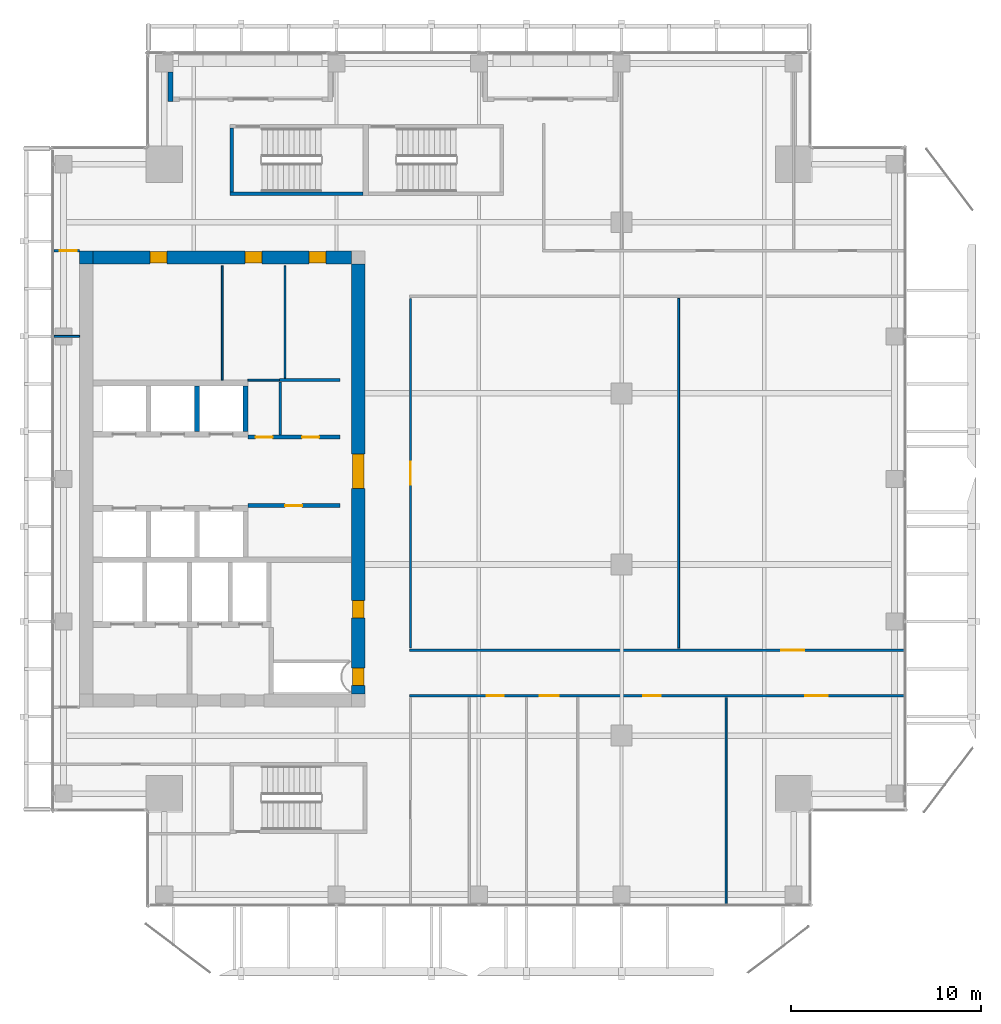
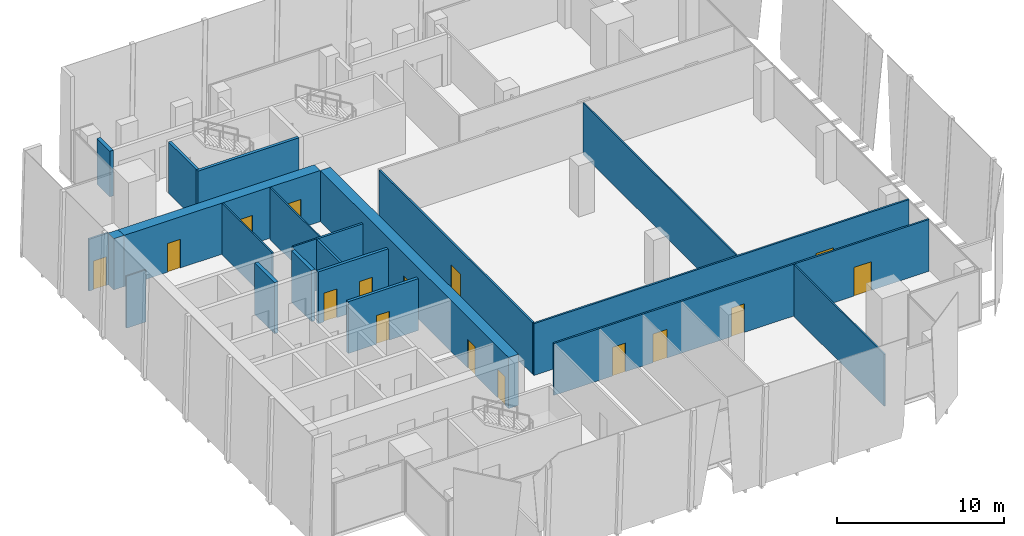
# One storey, part 29 of 35: 22 walls, 16 doors, 16 openings.
"""IFC4 building model written with IfcOpenShell, lengths in metres."""

from ifc_helpers import new_model, si_unit, direction, frame, frame_2d, origin, place, context, subcontext, project, spatial, rectangle, extrude, source, transform, mapped, material, layer, layer_set, type_object, element, fill, save


model = new_model("IFC4")

# Units and contexts
model_context = context("Model", 3, precision=1e-05, world=origin(), true_north=direction((0.0, 1.0)))
body_context = subcontext(model_context, "Body", "Model", "MODEL_VIEW")
ifc_project = project(units=[si_unit("LENGTHUNIT", "METRE"), si_unit("AREAUNIT", "SQUARE_METRE"), si_unit("VOLUMEUNIT", "CUBIC_METRE"), si_unit("PLANEANGLEUNIT", "RADIAN"), si_unit("MASSUNIT", "GRAM", prefix="KILO")], contexts=[model_context])

# Site, building, storey
site_placement = place(None, origin())
site = spatial("IfcSite", under=ifc_project, at=site_placement, CompositionType="ELEMENT")
building_placement = place(site_placement, origin())
building = spatial("IfcBuilding", under=site, at=building_placement, Name="Khomas Fold Tower", CompositionType="ELEMENT")
storey_placement = place(building_placement, frame((0.0, 0.0, 266.199951171875)))
storey = spatial("IfcBuildingStorey", under=building, at=storey_placement, Name="L60", CompositionType="ELEMENT", Elevation=266.199951171875)

# Walls
ifc_material_1 = material(Name="Concrete C50/60", Category="concrete")
ifc_layer_1 = layer(ifc_material_1, 0.199951171875)
ifc_layer_set_1 = layer_set([ifc_layer_1], Name="Concrete C50/60")
wall_type_1 = type_object("IfcWallType", Name="Stair wall 200", PredefinedType="SHEAR", material=ifc_layer_set_1)
shared_shape_1 = source(origin(), body_context, "Body", "SweptSolid", [
    extrude(rectangle(XDim=7.0, YDim=0.199951171875, at=frame_2d((3.5, 0.0))), origin(), (0.0, 0.0, 1.0), 3.75),
])
wall_1_placement = place(storey_placement, frame((13.89990234375, 42.0, 0.0), z_axis=(0.0, 0.0, 1.0), x_axis=(1.0, 0.0, 0.0)))
element("IfcWall", 1, at=wall_1_placement, inside=storey, type_object=wall_type_1, Name="Stair wall SW-ST1-S", PredefinedType="SHEAR", context=body_context, shape_type="MappedRepresentation", body=[
    mapped(shared_shape_1, transform((0.0, 0.0, 0.0))),
])
shared_shape_2 = source(origin(), body_context, "Body", "SweptSolid", [
    extrude(rectangle(XDim=3.349853515625, YDim=0.199951171875, at=frame_2d((1.6748046875, 0.0))), origin(), (0.0, 0.0, 1.0), 3.75),
])
wall_2_placement = place(storey_placement, frame((14.0, 42.10009765625, 0.0), z_axis=(0.0, 0.0, 1.0), x_axis=(0.0, 1.0, 0.0)))
element("IfcWall", 2, at=wall_2_placement, inside=storey, type_object=wall_type_1, Name="Stair wall SW-ST1-W", PredefinedType="SHEAR", context=body_context, shape_type="MappedRepresentation", body=[
    mapped(shared_shape_2, transform((0.0, 0.0, 0.0))),
])
ifc_material_2 = material(Name="Concrete C50/60", Category="concrete")
ifc_layer_2 = layer(ifc_material_2, 0.25)
ifc_layer_set_2 = layer_set([ifc_layer_2], Name="Concrete C50/60")
wall_type_2 = type_object("IfcWallType", Name="Shaft wall 250", PredefinedType="STANDARD", material=ifc_layer_set_2)
shared_shape_3 = source(origin(), body_context, "Body", "SweptSolid", [
    extrude(rectangle(XDim=2.39990234375, YDim=0.25, at=frame_2d((1.199951171875, 0.0))), origin(), (0.0, 0.0, 1.0), 3.75),
])
for number, where, z_axis, x_axis, name in (
    (3, (12.175048828125, 29.5, 0.0), (0.0, 0.0, 1.0), (0.0, 1.0, 0.0), "Core wall SW-HRN-P2"),
    (4, (14.72509765625, 29.5, 0.0), (0.0, 0.0, 1.0), (0.0, 1.0, 0.0), "Core wall SW-HRN-PE"),
):
    element("IfcWall", number, at=place(storey_placement, frame(where, z_axis=z_axis, x_axis=x_axis)), inside=storey, type_object=wall_type_2, Name=name, PredefinedType="STANDARD", context=body_context, shape_type="MappedRepresentation", body=[
        mapped(shared_shape_3, transform((0.0, 0.0, 0.0))),
    ])

# Wall, openings, doors
ifc_material_3 = material(Name="Concrete C60/75", Category="concrete")
ifc_layer_3 = layer(ifc_material_3, 0.699951171875)
ifc_layer_set_3 = layer_set([ifc_layer_3], Name="Concrete C60/75")
wall_type_3 = type_object("IfcWallType", Name="Core wall 700", PredefinedType="SHEAR", material=ifc_layer_set_3)
shared_shape_4 = source(origin(), body_context, "Body", "SweptSolid", [
    extrude(rectangle(XDim=13.60009765625, YDim=0.699951171875, at=frame_2d((6.800048828125, 0.0))), origin(), (0.0, 0.0, 1.0), 3.75),
])
wall_3_placement = place(storey_placement, frame((6.699951171875, 38.64990234375, 0.0), z_axis=(0.0, 0.0, 1.0), x_axis=(1.0, 0.0, 0.0)))
wall_3 = element("IfcWall", 5, at=wall_3_placement, inside=storey, type_object=wall_type_3, Name="Core wall CW-U-N-L49", PredefinedType="SHEAR", context=body_context, shape_type="MappedRepresentation", body=[
    mapped(shared_shape_4, transform((0.0, 0.0, 0.0))),
])
shared_shape_5 = source(origin(), body_context, "Body", "SweptSolid", [
    extrude(rectangle(XDim=0.89990234375, YDim=2.10009765625, at=frame_2d((0.449951171875, 1.050048828125))), frame((0.0, 0.35986328125, 0.0), z_axis=(0.0, -1.0, 0.0), x_axis=(1.0, 0.0, 0.0)), (0.0, 0.0, 1.0), 0.719970703125),
])
opening_1_placement = place(wall_3_placement, frame((3.0, 0.0, 0.0)))
opening_1 = element("IfcOpeningElement", 6, at=opening_1_placement, cuts=wall_3, Name="Opening 0008", PredefinedType="OPENING", context=body_context, shape_type="MappedRepresentation", body=[
    mapped(shared_shape_5, transform((0.0, 0.0, 0.0))),
])
opening_2_placement = place(wall_3_placement, frame((8.0, 0.0, 0.0)))
opening_2 = element("IfcOpeningElement", 7, at=opening_2_placement, cuts=wall_3, Name="Opening 0008", PredefinedType="OPENING", context=body_context, shape_type="MappedRepresentation", body=[
    mapped(shared_shape_5, transform((0.0, 0.0, 0.0))),
])
opening_3_placement = place(wall_3_placement, frame((11.35009765625, 0.0, 0.0)))
opening_3 = element("IfcOpeningElement", 8, at=opening_3_placement, cuts=wall_3, Name="Opening 0008", PredefinedType="OPENING", context=body_context, shape_type="MappedRepresentation", body=[
    mapped(shared_shape_5, transform((0.0, 0.0, 0.0))),
])
ifc_material_4 = material(Name="Timber door leaf", Category="wood")
door_type_1 = type_object("IfcDoorType", Name="Door 900x2100 right-hand", OperationType="SINGLE_SWING_RIGHT", PredefinedType="DOOR", material=ifc_material_4)
shared_shape_6 = source(origin(), body_context, "Body", "SweptSolid", [
    extrude(rectangle(XDim=0.89990234375, YDim=2.10009765625, at=frame_2d((0.449951171875, 1.050048828125))), frame((0.0, 0.2998046875, 0.0), z_axis=(0.0, -1.0, 0.0), x_axis=(1.0, 0.0, 0.0)), (0.0, 0.0, 1.0), 0.599853515625),
])
door_1_placement = place(opening_1_placement, origin())
door_1 = element("IfcDoor", 9, at=door_1_placement, inside=storey, type_object=door_type_1, Name="Door", OperationType="SINGLE_SWING_RIGHT", OverallHeight=2.10009765625, OverallWidth=0.89990234375, PredefinedType="DOOR", context=body_context, shape_type="MappedRepresentation", body=[
    mapped(shared_shape_6, transform((0.0, 0.0, 0.0))),
])
fill(opening_1, door_1)
door_2_placement = place(opening_2_placement, origin())
door_2 = element("IfcDoor", 10, at=door_2_placement, inside=storey, type_object=door_type_1, Name="Door", OperationType="SINGLE_SWING_RIGHT", OverallHeight=2.10009765625, OverallWidth=0.89990234375, PredefinedType="DOOR", context=body_context, shape_type="MappedRepresentation", body=[
    mapped(shared_shape_6, transform((0.0, 0.0, 0.0))),
])
fill(opening_2, door_2)
door_3_placement = place(opening_3_placement, origin())
door_3 = element("IfcDoor", 11, at=door_3_placement, inside=storey, type_object=door_type_1, Name="Door", OperationType="SINGLE_SWING_RIGHT", OverallHeight=2.10009765625, OverallWidth=0.89990234375, PredefinedType="DOOR", context=body_context, shape_type="MappedRepresentation", body=[
    mapped(shared_shape_6, transform((0.0, 0.0, 0.0))),
])
fill(opening_3, door_3)

# Wall
ifc_material_5 = material(Name="Concrete C60/75", Category="concrete")
ifc_layer_4 = layer(ifc_material_5, 0.699951171875)
ifc_layer_set_4 = layer_set([ifc_layer_4], Name="Concrete C60/75")
wall_type_4 = type_object("IfcWallType", Name="Core corner wall 700", PredefinedType="SHEAR", material=ifc_layer_set_4)
shared_shape_7 = source(origin(), body_context, "Body", "SweptSolid", [
    extrude(rectangle(XDim=0.699951171875, YDim=0.699951171875, at=frame_2d((0.35009765625, 0.0))), origin(), (0.0, 0.0, 1.0), 3.75),
])
wall_4_placement = place(storey_placement, frame((6.0, 38.64990234375, 0.0), z_axis=(0.0, 0.0, 1.0), x_axis=(1.0, 0.0, 0.0)))
element("IfcWall", 12, at=wall_4_placement, inside=storey, type_object=wall_type_4, Name="Core wall CW-U-NW-L49", PredefinedType="SHEAR", context=body_context, shape_type="MappedRepresentation", body=[
    mapped(shared_shape_7, transform((0.0, 0.0, 0.0))),
])

# Wall, openings, doors
shared_shape_8 = source(origin(), body_context, "Body", "SweptSolid", [
    extrude(rectangle(XDim=22.60009765625, YDim=0.699951171875, at=frame_2d((11.300048828125, 0.0))), origin(), (0.0, 0.0, 1.0), 3.75),
])
wall_5_placement = place(storey_placement, frame((20.64990234375, 15.699951171875, 0.0), z_axis=(0.0, 0.0, 1.0), x_axis=(0.0, 1.0, 0.0)))
wall_5 = element("IfcWall", 13, at=wall_5_placement, inside=storey, type_object=wall_type_3, Name="Core wall CW-U-E-L49", PredefinedType="SHEAR", context=body_context, shape_type="MappedRepresentation", body=[
    mapped(shared_shape_8, transform((0.0, 0.0, 0.0))),
])
shared_shape_9 = source(origin(), body_context, "Body", "SweptSolid", [
    extrude(rectangle(XDim=1.800048828125, YDim=2.10009765625, at=frame_2d((0.89990234375, 1.050048828125))), frame((0.0, 0.35986328125, 0.0), z_axis=(0.0, -1.0, 0.0), x_axis=(1.0, 0.0, 0.0)), (0.0, 0.0, 1.0), 0.719970703125),
])
opening_4_placement = place(wall_5_placement, frame((10.800048828125, 0.0, 0.0)))
opening_4 = element("IfcOpeningElement", 14, at=opening_4_placement, cuts=wall_5, Name="Opening 0015", PredefinedType="OPENING", context=body_context, shape_type="MappedRepresentation", body=[
    mapped(shared_shape_9, transform((0.0, 0.0, 0.0))),
])
opening_5_placement = place(wall_5_placement, frame((0.449951171875, 0.0, 0.0)))
opening_5 = element("IfcOpeningElement", 15, at=opening_5_placement, cuts=wall_5, Name="Opening 0003", PredefinedType="OPENING", context=body_context, shape_type="MappedRepresentation", body=[
    mapped(shared_shape_5, transform((0.0, 0.0, 0.0))),
])
opening_6_placement = place(wall_5_placement, frame((4.0, 0.0, 0.0)))
opening_6 = element("IfcOpeningElement", 16, at=opening_6_placement, cuts=wall_5, Name="Opening 0008", PredefinedType="OPENING", context=body_context, shape_type="MappedRepresentation", body=[
    mapped(shared_shape_5, transform((0.0, 0.0, 0.0))),
])
ifc_material_6 = material(Name="Steel door leaf", Category="steel")
door_type_2 = type_object("IfcDoorType", Name="Lobby door 1800x2100", OperationType="DOUBLE_DOOR_SINGLE_SWING", PredefinedType="DOOR", material=ifc_material_6)
shared_shape_10 = source(origin(), body_context, "Body", "SweptSolid", [
    extrude(rectangle(XDim=1.800048828125, YDim=2.10009765625, at=frame_2d((0.89990234375, 1.050048828125))), frame((0.0, 0.2998046875, 0.0), z_axis=(0.0, -1.0, 0.0), x_axis=(1.0, 0.0, 0.0)), (0.0, 0.0, 1.0), 0.599853515625),
])
door_4_placement = place(opening_4_placement, origin())
door_4 = element("IfcDoor", 17, at=door_4_placement, inside=storey, type_object=door_type_2, Name="Lobby door", OperationType="DOUBLE_DOOR_SINGLE_SWING", OverallHeight=2.10009765625, OverallWidth=1.800048828125, PredefinedType="DOOR", context=body_context, shape_type="MappedRepresentation", body=[
    mapped(shared_shape_10, transform((0.0, 0.0, 0.0))),
])
fill(opening_4, door_4)
ifc_material_7 = material(Name="Steel door leaf", Category="steel")
door_type_3 = type_object("IfcDoorType", Name="Plant room door 900x2100 right-hand", OperationType="SINGLE_SWING_RIGHT", PredefinedType="DOOR", material=ifc_material_7)
door_5_placement = place(opening_5_placement, origin())
door_5 = element("IfcDoor", 18, at=door_5_placement, inside=storey, type_object=door_type_3, Name="Plant room door", OperationType="SINGLE_SWING_RIGHT", OverallHeight=2.10009765625, OverallWidth=0.89990234375, PredefinedType="DOOR", context=body_context, shape_type="MappedRepresentation", body=[
    mapped(shared_shape_6, transform((0.0, 0.0, 0.0))),
])
fill(opening_5, door_5)
door_6_placement = place(opening_6_placement, origin())
door_6 = element("IfcDoor", 19, at=door_6_placement, inside=storey, type_object=door_type_1, Name="Door", OperationType="SINGLE_SWING_RIGHT", OverallHeight=2.10009765625, OverallWidth=0.89990234375, PredefinedType="DOOR", context=body_context, shape_type="MappedRepresentation", body=[
    mapped(shared_shape_6, transform((0.0, 0.0, 0.0))),
])
fill(opening_6, door_6)

# Walls
ifc_material_8 = material(Name="Natural stone", Category="masonry")
ifc_layer_5 = layer(ifc_material_8, 0.0400390625)
ifc_material_9 = material(Name="Mineral wool insulation", Category="insulation")
ifc_layer_6 = layer(ifc_material_9, 0.10009765625)
ifc_material_10 = material(Name="Masonry", Category="masonry")
ifc_layer_7 = layer(ifc_material_10, 0.110107421875)
ifc_layer_set_5 = layer_set([ifc_layer_5, ifc_layer_6, ifc_layer_7], Name="Stone-faced insulated masonry")
wall_type_5 = type_object("IfcWallType", Name="BL-Balcony wall", PredefinedType="SOLIDWALL", material=ifc_layer_set_5)
shared_shape_11 = source(origin(), body_context, "Body", "SweptSolid", [
    extrude(rectangle(XDim=1.5498046875, YDim=0.25, at=frame_2d((0.77490234375, 0.0))), origin(), (0.0, 0.0, 1.0), 3.35009765625),
])
wall_6_placement = place(storey_placement, frame((10.77490234375, 48.39990234375, 0.0), z_axis=(0.0, 0.0, 1.0), x_axis=(0.0, -1.0, 0.0)))
element("IfcWall", 20, at=wall_6_placement, inside=storey, type_object=wall_type_5, Name="Balcony return wall BAL-L60-N1-lo", PredefinedType="SOLIDWALL", context=body_context, shape_type="MappedRepresentation", body=[
    mapped(shared_shape_11, transform((0.0, 0.0, 0.0))),
])
ifc_material_11 = material(Name="Plasterboard partition")
ifc_layer_8 = layer(ifc_material_11, 0.10009765625)
ifc_layer_set_6 = layer_set([ifc_layer_8], Name="Plasterboard partition")
wall_type_6 = type_object("IfcWallType", Name="Partition PW1 100", PredefinedType="PARTITIONING", material=ifc_layer_set_6)
shared_shape_12 = source(origin(), body_context, "Body", "SweptSolid", [
    extrude(rectangle(XDim=6.0, YDim=0.10009765625, at=frame_2d((3.0, 0.0))), origin(), (0.0, 0.0, 1.0), 3.800048828125),
])
wall_7_placement = place(storey_placement, frame((13.5, 32.199951171875, 0.0), z_axis=(0.0, 0.0, 1.0), x_axis=(0.0, 1.0, 0.0)))
element("IfcWall", 21, at=wall_7_placement, inside=storey, type_object=wall_type_6, Name="Partition", PredefinedType="PARTITIONING", context=body_context, shape_type="MappedRepresentation", body=[
    mapped(shared_shape_12, transform((0.0, 0.0, 0.0))),
])
shared_shape_13 = source(origin(), body_context, "Body", "SweptSolid", [
    extrude(rectangle(XDim=10.85009765625, YDim=0.10009765625, at=frame_2d((5.425048828125, 0.0))), origin(), (0.0, 0.0, 1.0), 3.800048828125),
])
wall_8_placement = place(storey_placement, frame((40.0, 4.64990234375, 0.0), z_axis=(0.0, 0.0, 1.0), x_axis=(0.0, 1.0, 0.0)))
element("IfcWall", 22, at=wall_8_placement, inside=storey, type_object=wall_type_6, Name="Partition", PredefinedType="PARTITIONING", context=body_context, shape_type="MappedRepresentation", body=[
    mapped(shared_shape_13, transform((0.0, 0.0, 0.0))),
])

# Wall, opening, door
ifc_material_12 = material(Name="Plasterboard partition")
ifc_layer_9 = layer(ifc_material_12, 0.125)
ifc_layer_set_7 = layer_set([ifc_layer_9], Name="Plasterboard partition")
wall_type_7 = type_object("IfcWallType", Name="Partition PW2 125", PredefinedType="PARTITIONING", material=ifc_layer_set_7)
shared_shape_14 = source(origin(), body_context, "Body", "SweptSolid", [
    extrude(rectangle(XDim=1.35009765625, YDim=0.125, at=frame_2d((0.675048828125, 0.0))), origin(), (0.0, 0.0, 1.0), 3.800048828125),
])
wall_9_placement = place(storey_placement, frame((4.64990234375, 39.0, 0.0), z_axis=(0.0, 0.0, 1.0), x_axis=(1.0, 0.0, 0.0)))
wall_9 = element("IfcWall", 23, at=wall_9_placement, inside=storey, type_object=wall_type_7, Name="Partition", PredefinedType="PARTITIONING", context=body_context, shape_type="MappedRepresentation", body=[
    mapped(shared_shape_14, transform((0.0, 0.0, 0.0))),
])
shared_shape_15 = source(origin(), body_context, "Body", "SweptSolid", [
    extrude(rectangle(XDim=0.89990234375, YDim=2.10009765625, at=frame_2d((0.449951171875, 1.050048828125))), frame((0.0, 0.072509765625, 0.0), z_axis=(0.0, -1.0, 0.0), x_axis=(1.0, 0.0, 0.0)), (0.0, 0.0, 1.0), 0.14501953125),
])
opening_7_placement = place(wall_9_placement, frame((0.300048828125, 0.0, 0.0)))
opening_7 = element("IfcOpeningElement", 24, at=opening_7_placement, cuts=wall_9, Name="Opening 0008", PredefinedType="OPENING", context=body_context, shape_type="MappedRepresentation", body=[
    mapped(shared_shape_15, transform((0.0, 0.0, 0.0))),
])
shared_shape_16 = source(origin(), body_context, "Body", "SweptSolid", [
    extrude(rectangle(XDim=0.89990234375, YDim=2.10009765625, at=frame_2d((0.449951171875, 1.050048828125))), frame((0.0, 0.02490234375, 0.0), z_axis=(0.0, -1.0, 0.0), x_axis=(1.0, 0.0, 0.0)), (0.0, 0.0, 1.0), 0.050048828125),
])
door_7_placement = place(opening_7_placement, origin())
door_7 = element("IfcDoor", 25, at=door_7_placement, inside=storey, type_object=door_type_1, Name="Door", OperationType="SINGLE_SWING_RIGHT", OverallHeight=2.10009765625, OverallWidth=0.89990234375, PredefinedType="DOOR", context=body_context, shape_type="MappedRepresentation", body=[
    mapped(shared_shape_16, transform((0.0, 0.0, 0.0))),
])
fill(opening_7, door_7)

# Wall, openings, doors
shared_shape_17 = source(origin(), body_context, "Body", "SweptSolid", [
    extrude(rectangle(XDim=26.0, YDim=0.125, at=frame_2d((13.0, 0.0))), origin(), (0.0, 0.0, 1.0), 3.800048828125),
])
wall_10_placement = place(storey_placement, frame((23.35009765625, 15.60009765625, 0.0), z_axis=(0.0, 0.0, 1.0), x_axis=(1.0, 0.0, 0.0)))
wall_10 = element("IfcWall", 26, at=wall_10_placement, inside=storey, type_object=wall_type_7, Name="Partition", PredefinedType="PARTITIONING", context=body_context, shape_type="MappedRepresentation", body=[
    mapped(shared_shape_17, transform((0.0, 0.0, 0.0))),
])
opening_8_placement = place(wall_10_placement, frame((4.050048828125, 0.0, 0.0)))
opening_8 = element("IfcOpeningElement", 27, at=opening_8_placement, cuts=wall_10, Name="Opening 0005", PredefinedType="OPENING", context=body_context, shape_type="MappedRepresentation", body=[
    mapped(shared_shape_15, transform((0.0, 0.0, 0.0))),
])
shared_shape_18 = source(origin(), body_context, "Body", "SweptSolid", [
    extrude(rectangle(XDim=1.0, YDim=2.10009765625, at=frame_2d((0.5, 1.050048828125))), frame((0.0, 0.072509765625, 0.0), z_axis=(0.0, -1.0, 0.0), x_axis=(1.0, 0.0, 0.0)), (0.0, 0.0, 1.0), 0.14501953125),
])
opening_9_placement = place(wall_10_placement, frame((6.85009765625, 0.0, 0.0)))
opening_9 = element("IfcOpeningElement", 28, at=opening_9_placement, cuts=wall_10, Name="Opening 0014", PredefinedType="OPENING", context=body_context, shape_type="MappedRepresentation", body=[
    mapped(shared_shape_18, transform((0.0, 0.0, 0.0))),
])
opening_10_placement = place(wall_10_placement, frame((12.300048828125, 0.0, 0.0)))
opening_10 = element("IfcOpeningElement", 29, at=opening_10_placement, cuts=wall_10, Name="Opening 0008", PredefinedType="OPENING", context=body_context, shape_type="MappedRepresentation", body=[
    mapped(shared_shape_15, transform((0.0, 0.0, 0.0))),
])
shared_shape_19 = source(origin(), body_context, "Body", "SweptSolid", [
    extrude(rectangle(XDim=1.199951171875, YDim=2.10009765625, at=frame_2d((0.60009765625, 1.050048828125))), frame((0.0, 0.072509765625, 0.0), z_axis=(0.0, -1.0, 0.0), x_axis=(1.0, 0.0, 0.0)), (0.0, 0.0, 1.0), 0.14501953125),
])
opening_11_placement = place(wall_10_placement, frame((20.800048828125, 0.0, 0.0)))
opening_11 = element("IfcOpeningElement", 30, at=opening_11_placement, cuts=wall_10, Name="Opening 0013", PredefinedType="OPENING", context=body_context, shape_type="MappedRepresentation", body=[
    mapped(shared_shape_19, transform((0.0, 0.0, 0.0))),
])
ifc_material_13 = material(Name="Timber door leaf", Category="wood")
door_type_4 = type_object("IfcDoorType", Name="WC door 900x2100 left-hand", OperationType="SINGLE_SWING_LEFT", PredefinedType="DOOR", material=ifc_material_13)
door_8_placement = place(opening_8_placement, origin())
door_8 = element("IfcDoor", 31, at=door_8_placement, inside=storey, type_object=door_type_4, Name="WC door", OperationType="SINGLE_SWING_LEFT", OverallHeight=2.10009765625, OverallWidth=0.89990234375, PredefinedType="DOOR", context=body_context, shape_type="MappedRepresentation", body=[
    mapped(shared_shape_16, transform((0.0, 0.0, 0.0))),
])
fill(opening_8, door_8)
door_9_placement = place(opening_10_placement, origin())
door_9 = element("IfcDoor", 32, at=door_9_placement, inside=storey, type_object=door_type_1, Name="Door", OperationType="SINGLE_SWING_RIGHT", OverallHeight=2.10009765625, OverallWidth=0.89990234375, PredefinedType="DOOR", context=body_context, shape_type="MappedRepresentation", body=[
    mapped(shared_shape_16, transform((0.0, 0.0, 0.0))),
])
fill(opening_10, door_9)
ifc_material_14 = material(Name="Timber door leaf", Category="wood")
door_type_5 = type_object("IfcDoorType", Name="WC door 1000x2100 left-hand", OperationType="SINGLE_SWING_LEFT", PredefinedType="DOOR", material=ifc_material_14)
shared_shape_20 = source(origin(), body_context, "Body", "SweptSolid", [
    extrude(rectangle(XDim=1.0, YDim=2.10009765625, at=frame_2d((0.5, 1.050048828125))), frame((0.0, 0.02490234375, 0.0), z_axis=(0.0, -1.0, 0.0), x_axis=(1.0, 0.0, 0.0)), (0.0, 0.0, 1.0), 0.050048828125),
])
door_10_placement = place(opening_9_placement, origin())
door_10 = element("IfcDoor", 33, at=door_10_placement, inside=storey, type_object=door_type_5, Name="WC door", OperationType="SINGLE_SWING_LEFT", OverallHeight=2.10009765625, OverallWidth=1.0, PredefinedType="DOOR", context=body_context, shape_type="MappedRepresentation", body=[
    mapped(shared_shape_20, transform((0.0, 0.0, 0.0))),
])
fill(opening_9, door_10)
ifc_material_15 = material(Name="Timber door leaf", Category="wood")
door_type_6 = type_object("IfcDoorType", Name="Door 1200x2100 left-hand", OperationType="SINGLE_SWING_LEFT", PredefinedType="DOOR", material=ifc_material_15)
shared_shape_21 = source(origin(), body_context, "Body", "SweptSolid", [
    extrude(rectangle(XDim=1.199951171875, YDim=2.10009765625, at=frame_2d((0.60009765625, 1.050048828125))), frame((0.0, 0.02490234375, 0.0), z_axis=(0.0, -1.0, 0.0), x_axis=(1.0, 0.0, 0.0)), (0.0, 0.0, 1.0), 0.050048828125),
])
door_11_placement = place(opening_11_placement, origin())
door_11 = element("IfcDoor", 34, at=door_11_placement, inside=storey, type_object=door_type_6, Name="Door", OperationType="SINGLE_SWING_LEFT", OverallHeight=2.10009765625, OverallWidth=1.199951171875, PredefinedType="DOOR", context=body_context, shape_type="MappedRepresentation", body=[
    mapped(shared_shape_21, transform((0.0, 0.0, 0.0))),
])
fill(opening_11, door_11)

# Wall, opening, door
wall_11_placement = place(storey_placement, frame((23.35009765625, 18.0, 0.0), z_axis=(0.0, 0.0, 1.0), x_axis=(1.0, 0.0, 0.0)))
wall_11 = element("IfcWall", 35, at=wall_11_placement, inside=storey, type_object=wall_type_7, Name="Partition", PredefinedType="PARTITIONING", context=body_context, shape_type="MappedRepresentation", body=[
    mapped(shared_shape_17, transform((0.0, 0.0, 0.0))),
])
opening_12_placement = place(wall_11_placement, frame((19.550048828125, 0.0, 0.0)))
opening_12 = element("IfcOpeningElement", 36, at=opening_12_placement, cuts=wall_11, Name="Opening 0001", PredefinedType="OPENING", context=body_context, shape_type="MappedRepresentation", body=[
    mapped(shared_shape_19, transform((0.0, 0.0, 0.0))),
])
ifc_material_16 = material(Name="Timber door leaf", Category="wood")
door_type_7 = type_object("IfcDoorType", Name="Door 1200x2100 right-hand", OperationType="SINGLE_SWING_RIGHT", PredefinedType="DOOR", material=ifc_material_16)
door_12_placement = place(opening_12_placement, origin())
door_12 = element("IfcDoor", 37, at=door_12_placement, inside=storey, type_object=door_type_7, Name="Door", OperationType="SINGLE_SWING_RIGHT", OverallHeight=2.10009765625, OverallWidth=1.199951171875, PredefinedType="DOOR", context=body_context, shape_type="MappedRepresentation", body=[
    mapped(shared_shape_21, transform((0.0, 0.0, 0.0))),
])
fill(opening_12, door_12)

shared_shape_22 = source(origin(), body_context, "Body", "SweptSolid", [
    extrude(rectangle(XDim=18.39990234375, YDim=0.125, at=frame_2d((9.199951171875, 0.0))), origin(), (0.0, 0.0, 1.0), 3.800048828125),
])
wall_12_placement = place(storey_placement, frame((23.39990234375, 18.10009765625, 0.0), z_axis=(0.0, 0.0, 1.0), x_axis=(0.0, 1.0, 0.0)))
wall_12 = element("IfcWall", 38, at=wall_12_placement, inside=storey, type_object=wall_type_7, Name="Partition", PredefinedType="PARTITIONING", context=body_context, shape_type="MappedRepresentation", body=[
    mapped(shared_shape_22, transform((0.0, 0.0, 0.0))),
])
opening_13_placement = place(wall_12_placement, frame((8.60009765625, 0.0, 0.0)))
opening_13 = element("IfcOpeningElement", 39, at=opening_13_placement, cuts=wall_12, Name="Opening 0001", PredefinedType="OPENING", context=body_context, shape_type="MappedRepresentation", body=[
    mapped(shared_shape_19, transform((0.0, 0.0, 0.0))),
])
door_13_placement = place(opening_13_placement, origin())
door_13 = element("IfcDoor", 40, at=door_13_placement, inside=storey, type_object=door_type_7, Name="Door", OperationType="SINGLE_SWING_RIGHT", OverallHeight=2.10009765625, OverallWidth=1.199951171875, PredefinedType="DOOR", context=body_context, shape_type="MappedRepresentation", body=[
    mapped(shared_shape_21, transform((0.0, 0.0, 0.0))),
])
fill(opening_13, door_13)

# Walls
shared_shape_23 = source(origin(), body_context, "Body", "SweptSolid", [
    extrude(rectangle(XDim=18.39990234375, YDim=0.10009765625, at=frame_2d((9.199951171875, 0.0))), origin(), (0.0, 0.0, 1.0), 3.800048828125),
])
wall_13_placement = place(storey_placement, frame((37.5, 18.10009765625, 0.0), z_axis=(0.0, 0.0, 1.0), x_axis=(0.0, 1.0, 0.0)))
element("IfcWall", 41, at=wall_13_placement, inside=storey, type_object=wall_type_6, Name="Partition", PredefinedType="PARTITIONING", context=body_context, shape_type="MappedRepresentation", body=[
    mapped(shared_shape_23, transform((0.0, 0.0, 0.0))),
])
shared_shape_24 = source(origin(), body_context, "Body", "SweptSolid", [
    extrude(rectangle(XDim=1.35009765625, YDim=0.10009765625, at=frame_2d((0.675048828125, 0.0))), origin(), (0.0, 0.0, 1.0), 3.800048828125),
])
wall_14_placement = place(storey_placement, frame((4.64990234375, 34.5, 0.0), z_axis=(0.0, 0.0, 1.0), x_axis=(1.0, 0.0, 0.0)))
element("IfcWall", 42, at=wall_14_placement, inside=storey, type_object=wall_type_6, Name="Partition", PredefinedType="PARTITIONING", context=body_context, shape_type="MappedRepresentation", body=[
    mapped(shared_shape_24, transform((0.0, 0.0, 0.0))),
])

# Wall, opening, door
ifc_material_17 = material(Name="Concrete C30/37", Category="concrete")
ifc_layer_10 = layer(ifc_material_17, 0.199951171875)
ifc_layer_set_8 = layer_set([ifc_layer_10], Name="Concrete C30/37")
wall_type_8 = type_object("IfcWallType", Name="Lobby wall PW4 200", PredefinedType="PARTITIONING", material=ifc_layer_set_8)
shared_shape_25 = source(origin(), body_context, "Body", "SweptSolid", [
    extrude(rectangle(XDim=4.849853515625, YDim=0.199951171875, at=frame_2d((2.4248046875, 0.0))), origin(), (0.0, 0.0, 1.0), 3.800048828125),
])
wall_15_placement = place(storey_placement, frame((14.85009765625, 25.60009765625, 0.0), z_axis=(0.0, 0.0, 1.0), x_axis=(1.0, 0.0, 0.0)))
wall_15 = element("IfcWall", 43, at=wall_15_placement, inside=storey, type_object=wall_type_8, Name="Lobby wall", PredefinedType="PARTITIONING", context=body_context, shape_type="MappedRepresentation", body=[
    mapped(shared_shape_25, transform((0.0, 0.0, 0.0))),
])
shared_shape_26 = source(origin(), body_context, "Body", "SweptSolid", [
    extrude(rectangle(XDim=0.89990234375, YDim=2.10009765625, at=frame_2d((0.449951171875, 1.050048828125))), frame((0.0, 0.10986328125, 0.0), z_axis=(0.0, -1.0, 0.0), x_axis=(1.0, 0.0, 0.0)), (0.0, 0.0, 1.0), 0.219970703125),
])
opening_14_placement = place(wall_15_placement, frame((1.949951171875, 0.0, 0.0)))
opening_14 = element("IfcOpeningElement", 44, at=opening_14_placement, cuts=wall_15, Name="Opening 0002", PredefinedType="OPENING", context=body_context, shape_type="MappedRepresentation", body=[
    mapped(shared_shape_26, transform((0.0, 0.0, 0.0))),
])
ifc_material_18 = material(Name="Steel door leaf", Category="steel")
door_type_8 = type_object("IfcDoorType", Name="Plant room door 900x2100 left-hand", OperationType="SINGLE_SWING_LEFT", PredefinedType="DOOR", material=ifc_material_18)
door_14_placement = place(opening_14_placement, origin())
door_14 = element("IfcDoor", 45, at=door_14_placement, inside=storey, type_object=door_type_8, Name="Plant room door", OperationType="SINGLE_SWING_LEFT", OverallHeight=2.10009765625, OverallWidth=0.89990234375, PredefinedType="DOOR", context=body_context, shape_type="MappedRepresentation", body=[
    mapped(shared_shape_16, transform((0.0, 0.0, 0.0))),
])
fill(opening_14, door_14)

# Wall, openings, doors
wall_16_placement = place(storey_placement, frame((14.85009765625, 29.199951171875, 0.0), z_axis=(0.0, 0.0, 1.0), x_axis=(1.0, 0.0, 0.0)))
wall_16 = element("IfcWall", 46, at=wall_16_placement, inside=storey, type_object=wall_type_8, Name="Lobby wall", PredefinedType="PARTITIONING", context=body_context, shape_type="MappedRepresentation", body=[
    mapped(shared_shape_25, transform((0.0, 0.0, 0.0))),
])
opening_15_placement = place(wall_16_placement, frame((0.39990234375, 0.0, 0.0)))
opening_15 = element("IfcOpeningElement", 47, at=opening_15_placement, cuts=wall_16, Name="Opening 0021", PredefinedType="OPENING", context=body_context, shape_type="MappedRepresentation", body=[
    mapped(shared_shape_26, transform((0.0, 0.0, 0.0))),
])
opening_16_placement = place(wall_16_placement, frame((2.85009765625, 0.0, 0.0)))
opening_16 = element("IfcOpeningElement", 48, at=opening_16_placement, cuts=wall_16, Name="Opening 0003", PredefinedType="OPENING", context=body_context, shape_type="MappedRepresentation", body=[
    mapped(shared_shape_26, transform((0.0, 0.0, 0.0))),
])
ifc_material_19 = material(Name="Steel door leaf", Category="steel")
door_type_9 = type_object("IfcDoorType", Name="Lobby door 900x2100 left-hand", OperationType="SINGLE_SWING_LEFT", PredefinedType="DOOR", material=ifc_material_19)
door_15_placement = place(opening_15_placement, origin())
door_15 = element("IfcDoor", 49, at=door_15_placement, inside=storey, type_object=door_type_9, Name="Lobby door", OperationType="SINGLE_SWING_LEFT", OverallHeight=2.10009765625, OverallWidth=0.89990234375, PredefinedType="DOOR", context=body_context, shape_type="MappedRepresentation", body=[
    mapped(shared_shape_16, transform((0.0, 0.0, 0.0))),
])
fill(opening_15, door_15)
door_16_placement = place(opening_16_placement, origin())
door_16 = element("IfcDoor", 50, at=door_16_placement, inside=storey, type_object=door_type_3, Name="Plant room door", OperationType="SINGLE_SWING_RIGHT", OverallHeight=2.10009765625, OverallWidth=0.89990234375, PredefinedType="DOOR", context=body_context, shape_type="MappedRepresentation", body=[
    mapped(shared_shape_16, transform((0.0, 0.0, 0.0))),
])
fill(opening_16, door_16)

# Walls
ifc_material_20 = material(Name="Plasterboard fire partition")
ifc_layer_11 = layer(ifc_material_20, 0.14990234375)
ifc_layer_set_9 = layer_set([ifc_layer_11], Name="Plasterboard fire partition")
wall_type_9 = type_object("IfcWallType", Name="Plant room wall PW3 150", PredefinedType="PARTITIONING", material=ifc_layer_set_9)
shared_shape_27 = source(origin(), body_context, "Body", "SweptSolid", [
    extrude(rectangle(XDim=2.800048828125, YDim=0.14990234375, at=frame_2d((1.39990234375, 0.0))), origin(), (0.0, 0.0, 1.0), 3.800048828125),
])
wall_17_placement = place(storey_placement, frame((16.550048828125, 29.300048828125, 0.0), z_axis=(0.0, 0.0, 1.0), x_axis=(0.0, 1.0, 0.0)))
element("IfcWall", 51, at=wall_17_placement, inside=storey, type_object=wall_type_9, Name="Plant room wall", PredefinedType="PARTITIONING", context=body_context, shape_type="MappedRepresentation", body=[
    mapped(shared_shape_27, transform((0.0, 0.0, 0.0))),
])
shared_shape_28 = source(origin(), body_context, "Body", "SweptSolid", [
    extrude(rectangle(XDim=1.64990234375, YDim=0.10009765625, at=frame_2d((0.824951171875, 0.0))), origin(), (0.0, 0.0, 1.0), 3.800048828125),
])
wall_18_placement = place(storey_placement, frame((14.85009765625, 32.199951171875, 0.0), z_axis=(0.0, 0.0, 1.0), x_axis=(1.0, 0.0, 0.0)))
element("IfcWall", 52, at=wall_18_placement, inside=storey, type_object=wall_type_6, Name="Partition", PredefinedType="PARTITIONING", context=body_context, shape_type="MappedRepresentation", body=[
    mapped(shared_shape_28, transform((0.0, 0.0, 0.0))),
])
shared_shape_29 = source(origin(), body_context, "Body", "SweptSolid", [
    extrude(rectangle(XDim=3.199951171875, YDim=0.14990234375, at=frame_2d((1.60009765625, 0.0))), origin(), (0.0, 0.0, 1.0), 3.800048828125),
])
wall_19_placement = place(storey_placement, frame((16.5, 32.199951171875, 0.0), z_axis=(0.0, 0.0, 1.0), x_axis=(1.0, 0.0, 0.0)))
element("IfcWall", 53, at=wall_19_placement, inside=storey, type_object=wall_type_9, Name="Plant room wall", PredefinedType="PARTITIONING", context=body_context, shape_type="MappedRepresentation", body=[
    mapped(shared_shape_29, transform((0.0, 0.0, 0.0))),
])
shared_shape_30 = source(origin(), body_context, "Body", "SweptSolid", [
    extrude(rectangle(XDim=5.89990234375, YDim=0.10009765625, at=frame_2d((2.949951171875, 0.0))), origin(), (0.0, 0.0, 1.0), 3.800048828125),
])
wall_20_placement = place(storey_placement, frame((16.800048828125, 32.300048828125, 0.0), z_axis=(0.0, 0.0, 1.0), x_axis=(0.0, 1.0, 0.0)))
element("IfcWall", 54, at=wall_20_placement, inside=storey, type_object=wall_type_6, Name="Partition", PredefinedType="PARTITIONING", context=body_context, shape_type="MappedRepresentation", body=[
    mapped(shared_shape_30, transform((0.0, 0.0, 0.0))),
])

save(model, "model.ifc")
